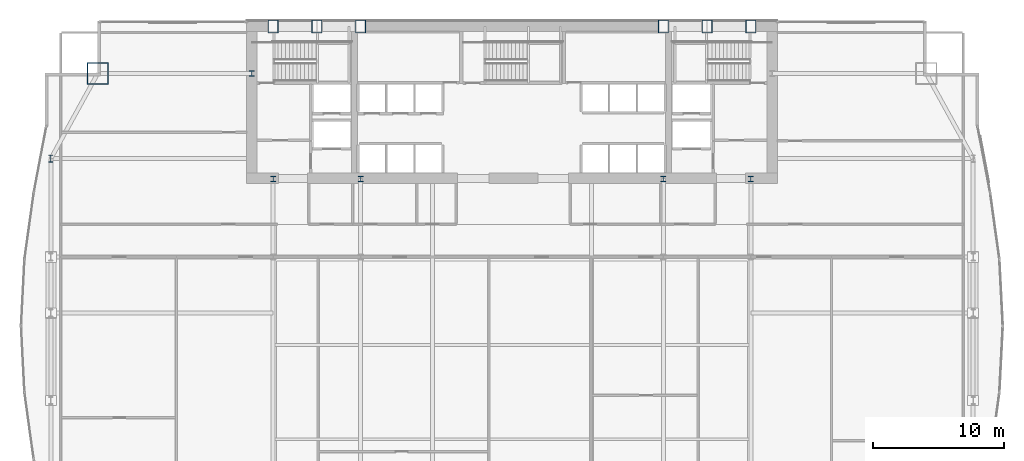
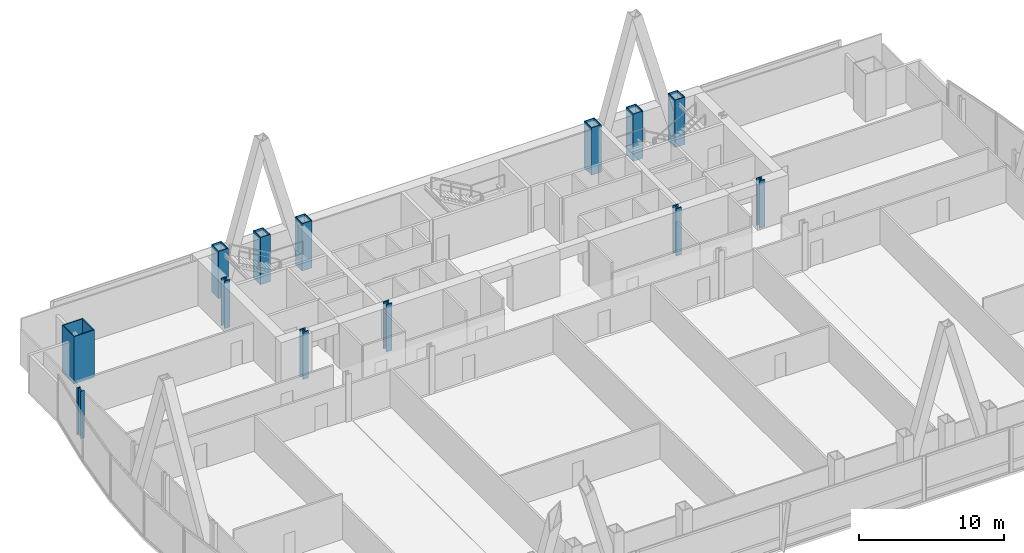
# One storey, part 3 of 37: 13 columns.
"""IFC4 building model written with IfcOpenShell, lengths in metres."""

from ifc_helpers import new_model, si_unit, direction, frame, origin, origin_2d, place, context, subcontext, project, spatial, hollow_rectangle, i_section, extrude, material, material_profile, profile_set, type_object, element, save


model = new_model("IFC4")

# Units and contexts
model_context = context("Model", 3, precision=1e-05, world=origin(), true_north=direction((0.0, 1.0)))
body_context = subcontext(model_context, "Body", "Model", "MODEL_VIEW")
ifc_project = project(units=[si_unit("LENGTHUNIT", "METRE"), si_unit("AREAUNIT", "SQUARE_METRE"), si_unit("VOLUMEUNIT", "CUBIC_METRE"), si_unit("PLANEANGLEUNIT", "RADIAN"), si_unit("MASSUNIT", "GRAM", prefix="KILO")], contexts=[model_context])

# Site, building, storey
site_placement = place(None, origin())
site = spatial("IfcSite", under=ifc_project, at=site_placement, CompositionType="ELEMENT")
building_placement = place(site_placement, origin())
building = spatial("IfcBuilding", under=site, at=building_placement, Name="Khoronbel Lancet Exchange", CompositionType="ELEMENT")
storey_placement = place(building_placement, frame((0.0, 0.0, 61.800048828125)))
storey = spatial("IfcBuildingStorey", under=building, at=storey_placement, Name="L14", CompositionType="ELEMENT", Elevation=61.800048828125)

# Columns
ifc_material_1 = material(Name="Steel S460", Category="steel")
ifc_material_profile_1 = material_profile(ifc_material_1, hollow_rectangle(XDim=0.800048828125, YDim=1.0, WallThickness=0.054931640625, at=origin_2d()), Name="BOX 1000x800x55")
ifc_profile_set_1 = profile_set([ifc_material_profile_1], Name="Steel S460")
column_type_1 = type_object("IfcColumnType", Name="COL-EC1", PredefinedType="COLUMN", material=ifc_profile_set_1)
for number, where, z_axis, x_axis, name in (
    (1, (18.22509765625, 53.280029296875, 0.0), (0.0, 0.0, 1.0), (1.0, 0.0, 0.0), "Structural column NC-W1 L14"),
    (2, (21.5625, 53.280029296875, 0.0), (0.0, 0.0, 1.0), (1.0, 0.0, 0.0), "Structural column NC-WM L14"),
    (3, (24.89990234375, 53.280029296875, 0.0), (0.0, 0.0, 1.0), (1.0, 0.0, 0.0), "Structural column NC-W2 L14"),
    (4, (48.0, 53.280029296875, 0.0), (0.0, 0.0, 1.0), (1.0, 0.0, 0.0), "Structural column NC-E1 L14"),
    (5, (51.33740234375, 53.280029296875, 0.0), (0.0, 0.0, 1.0), (1.0, 0.0, 0.0), "Structural column NC-EM L14"),
    (6, (54.675048828125, 53.280029296875, 0.0), (0.0, 0.0, 1.0), (1.0, 0.0, 0.0), "Structural column NC-E2 L14"),
):
    element("IfcColumn", number, at=place(storey_placement, frame(where, z_axis=z_axis, x_axis=x_axis)), inside=storey, type_object=column_type_1, Name=name, PredefinedType="COLUMN", context=body_context, shape_type="SweptSolid", body=[
        extrude(hollow_rectangle(XDim=0.800048828125, YDim=1.0, WallThickness=0.054931640625, at=origin_2d()), origin(), (0.0, 0.0, 1.0), 4.0),
    ])
ifc_material_profile_2 = material_profile(ifc_material_1, i_section(OverallWidth=0.424072265625, OverallDepth=0.47412109375, WebThickness=0.047607421875, FlangeThickness=0.076904296875, at=origin_2d()), Name="HD 400x634")
ifc_profile_set_2 = profile_set([ifc_material_profile_2], Name="Steel S460")
column_type_2 = type_object("IfcColumnType", Name="COL-IC1", PredefinedType="COLUMN", material=ifc_profile_set_2)
for number, where, z_axis, x_axis, name in (
    (7, (16.60009765625, 49.699951171875, 0.0), (0.0, 0.0, 1.0), (1.0, 0.0, 0.0), "Core-flank plumb transfer column CFW L14"),
    (8, (18.22509765625, 41.64990234375, 0.0), (0.0, 0.0, 1.0), (1.0, 0.0, 0.0), "Core-embedded steel column CTC1 L14"),
    (9, (24.89990234375, 41.64990234375, 0.0), (0.0, 0.0, 1.0), (1.0, 0.0, 0.0), "Core-embedded steel column CTC2 L14"),
    (10, (48.0, 41.64990234375, 0.0), (0.0, 0.0, 1.0), (1.0, 0.0, 0.0), "Core-embedded steel column CTC3 L14"),
    (11, (54.675048828125, 41.64990234375, 0.0), (0.0, 0.0, 1.0), (1.0, 0.0, 0.0), "Core-embedded steel column CTC4 L14"),
):
    element("IfcColumn", number, at=place(storey_placement, frame(where, z_axis=z_axis, x_axis=x_axis)), inside=storey, type_object=column_type_2, Name=name, PredefinedType="COLUMN", context=body_context, shape_type="SweptSolid", body=[
        extrude(i_section(OverallWidth=0.424072265625, OverallDepth=0.47412109375, WebThickness=0.047607421875, FlangeThickness=0.076904296875, at=origin_2d()), origin(), (0.0, 0.0, 1.0), 4.0),
    ])
ifc_material_2 = material(Name="Steel S355", Category="steel")
ifc_material_profile_3 = material_profile(ifc_material_2, i_section(OverallWidth=0.300048828125, OverallDepth=0.550048828125, WebThickness=0.014892578125, FlangeThickness=0.029052734375, at=origin_2d()), Name="HEB 550")
ifc_profile_set_3 = profile_set([ifc_material_profile_3], Name="Steel S355")
column_type_3 = type_object("IfcColumnType", Name="COL-LC1", PredefinedType="COLUMN", material=ifc_profile_set_3)
column_1_placement = place(storey_placement, frame((1.27001953125, 43.199951171875, 0.0), z_axis=(0.0, 0.0, 1.0), x_axis=(1.0, 0.0, 0.0)))
element("IfcColumn", 12, at=column_1_placement, inside=storey, type_object=column_type_3, Name="Structural column WC-4 L14", PredefinedType="COLUMN", context=body_context, shape_type="SweptSolid", body=[
    extrude(i_section(OverallWidth=0.300048828125, OverallDepth=0.550048828125, WebThickness=0.014892578125, FlangeThickness=0.029052734375, at=origin_2d()), origin(), (0.0, 0.0, 1.0), 4.0),
])
ifc_material_profile_4 = material_profile(ifc_material_1, hollow_rectangle(XDim=1.64990234375, YDim=1.64990234375, WallThickness=0.074951171875, at=origin_2d()), Name="BOX 1650x1650x75")
ifc_profile_set_4 = profile_set([ifc_material_profile_4], Name="Steel S460")
column_type_4 = type_object("IfcColumnType", Name="COL-MC2", PredefinedType="COLUMN", material=ifc_profile_set_4)
column_2_placement = place(storey_placement, frame((4.85009765625, 49.699951171875, 0.0), z_axis=(0.0, 0.0, 1.0), x_axis=(1.0, 0.0, 0.0)))
element("IfcColumn", 13, at=column_2_placement, inside=storey, type_object=column_type_4, Name="Structural column MC-NW L14", PredefinedType="COLUMN", context=body_context, shape_type="SweptSolid", body=[
    extrude(hollow_rectangle(XDim=1.64990234375, YDim=1.64990234375, WallThickness=0.074951171875, at=origin_2d()), origin(), (0.0, 0.0, 1.0), 4.0),
])

save(model, "model.ifc")
